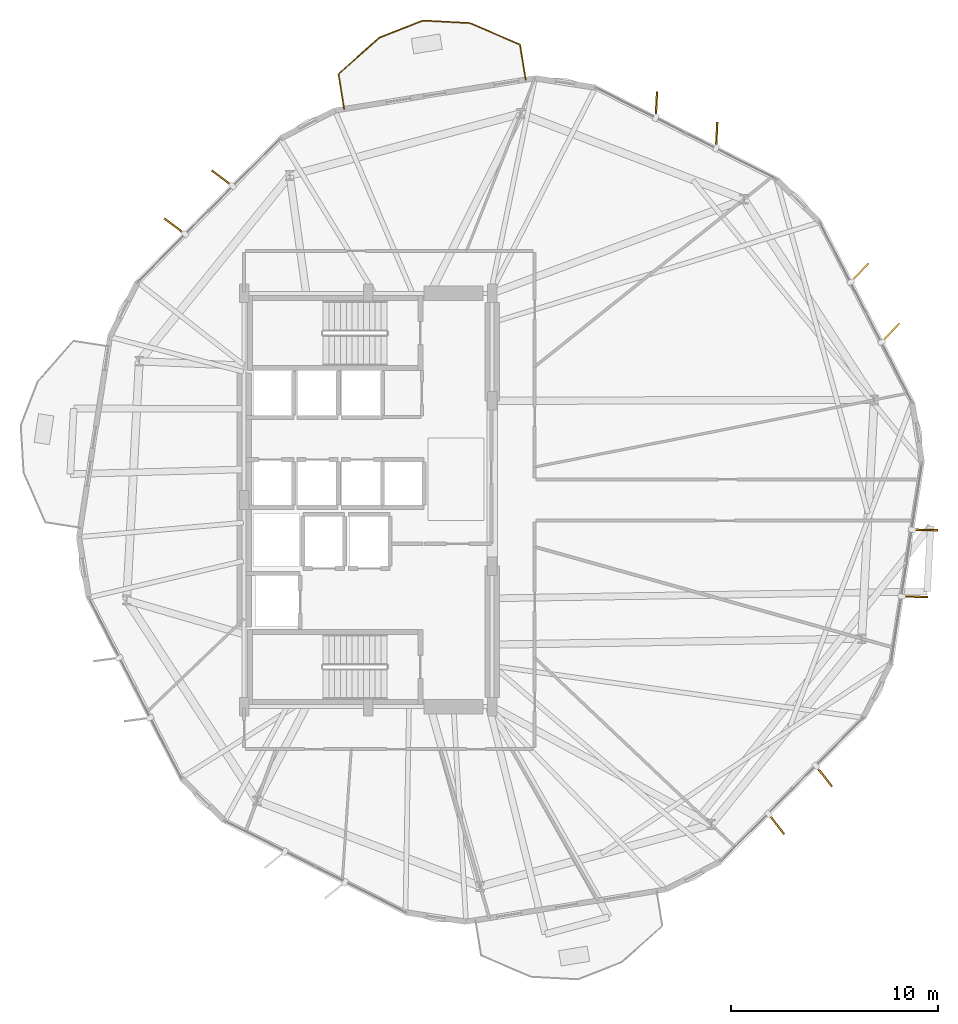
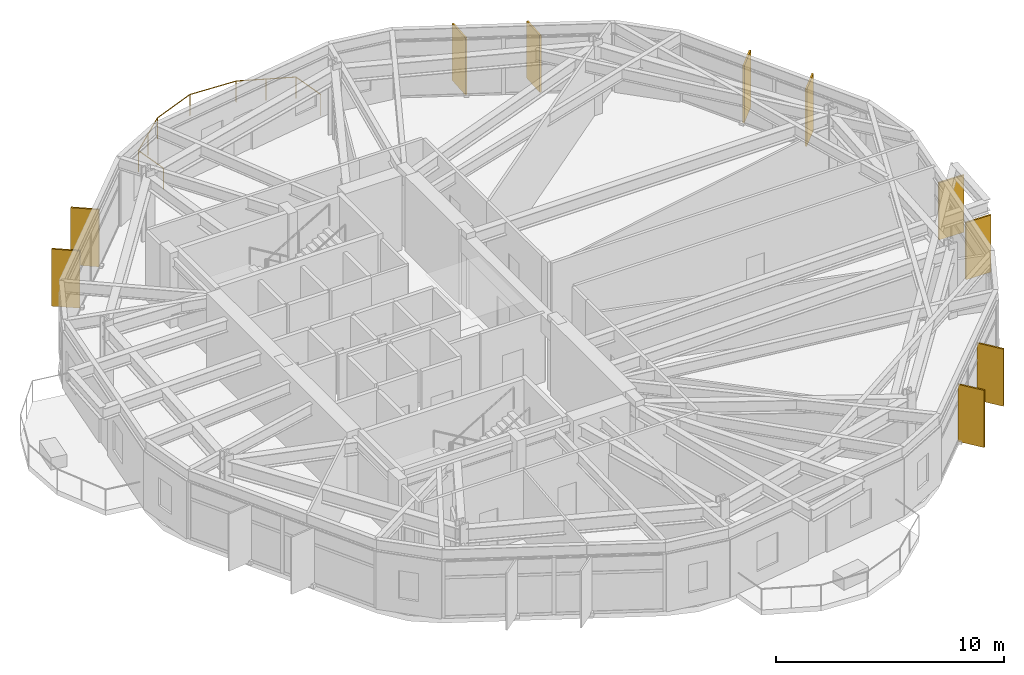
# One storey, part 23 of 23: 10 shading devices, 1 railing.
"""IFC4 building model written with IfcOpenShell, lengths in metres."""

from ifc_helpers import new_model, si_unit, direction, frame, origin, origin_2d, place, context, subcontext, project, spatial, rectangle, circle, extrude, material, layer, layer_set, type_object, element, save


model = new_model("IFC4")

# Units and contexts
model_context = context("Model", 3, precision=1e-05, world=origin(), true_north=direction((0.0, 1.0)))
body_context = subcontext(model_context, "Body", "Model", "MODEL_VIEW")
ifc_project = project(units=[si_unit("LENGTHUNIT", "METRE"), si_unit("AREAUNIT", "SQUARE_METRE"), si_unit("VOLUMEUNIT", "CUBIC_METRE"), si_unit("PLANEANGLEUNIT", "RADIAN"), si_unit("MASSUNIT", "GRAM", prefix="KILO")], contexts=[model_context])

# Site, building, storey
site_placement = place(None, origin())
site = spatial("IfcSite", under=ifc_project, at=site_placement, CompositionType="ELEMENT")
building_placement = place(site_placement, origin())
building = spatial("IfcBuilding", under=site, at=building_placement, Name="Soratama Intermodal Tower", CompositionType="ELEMENT")
storey_placement = place(building_placement, frame((0.0, 0.0, 62.60009765625)))
storey = spatial("IfcBuildingStorey", under=building, at=storey_placement, Name="L14", CompositionType="ELEMENT", Elevation=62.60009765625)

# Railing
ifc_material_1 = material(Name="Laminated glass and stainless steel balustrade", Category="steel")
railing_type = type_object("IfcRailingType", Name="RL-BAL-1150", PredefinedType="BALUSTRADE", material=ifc_material_1)
railing_placement = place(storey_placement, frame((37.435302734375, 43.916015625, 0.0)))
element("IfcRailing", 1, at=railing_placement, inside=storey, type_object=railing_type, Name="L14 Balcony Balustrade 1", PredefinedType="BALUSTRADE", context=body_context, shape_type="SweptSolid", body=[
    extrude(circle(Radius=0.02392578125, at=origin_2d()), frame((0.0, 0.0, 1.1259765625), z_axis=(-0.159540351224, 0.987191408153, 0.0), x_axis=(-0.987191408153, -0.159540351224, 0.0)), (0.0, 0.0, 1.0), 1.719970703125),
    extrude(circle(Radius=0.02392578125, at=origin_2d()), frame((-0.2744140625, 1.697998046875, 1.1259765625), z_axis=(0.747368450945, 0.664409812188, 0.0), x_axis=(-0.664409812188, 0.747368450945, 0.0)), (0.0, 0.0, 1.0), 2.636962890625),
    extrude(circle(Radius=0.02392578125, at=origin_2d()), frame((1.6962890625, 3.449951171875, 1.1259765625), z_axis=(0.930568945618, 0.366116699226, 0.0), x_axis=(-0.366116699226, 0.930568945618, 0.0)), (0.0, 0.0, 1.0), 2.27734375),
    extrude(circle(Radius=0.02392578125, at=origin_2d()), frame((3.8154296875, 4.28369140625, 1.1259765625), z_axis=(0.99852174408, -0.054353717441, 0.0), x_axis=(0.054353717441, 0.99852174408, 0.0)), (0.0, 0.0, 1.0), 2.27734375),
    extrude(circle(Radius=0.02392578125, at=origin_2d()), frame((6.08935546875, 4.159912109375, 1.1259765625), z_axis=(0.918617437732, -0.395148077428, 0.0), x_axis=(0.395148077428, 0.918617437732, 0.0)), (0.0, 0.0, 1.0), 2.636962890625),
    extrude(circle(Radius=0.02392578125, at=origin_2d()), frame((8.51171875, 3.117919921875, 1.1259765625), z_axis=(0.159402019524, -0.987213754043, 0.0), x_axis=(0.987213754043, 0.159402019524, 0.0)), (0.0, 0.0, 1.0), 1.719970703125),
    extrude(circle(Radius=0.02099609375, at=origin_2d()), origin(), (0.0, 0.0, 1.0), 1.101806640625),
    extrude(circle(Radius=0.02099609375, at=origin_2d()), frame((-0.2744140625, 1.697998046875, 0.0)), (0.0, 0.0, 1.0), 1.101806640625),
    extrude(circle(Radius=0.02099609375, at=origin_2d()), frame((0.7109375, 2.573974609375, 0.0)), (0.0, 0.0, 1.0), 1.101806640625),
    extrude(circle(Radius=0.02099609375, at=origin_2d()), frame((1.6962890625, 3.449951171875, 0.0)), (0.0, 0.0, 1.0), 1.101806640625),
    extrude(circle(Radius=0.02099609375, at=origin_2d()), frame((3.8154296875, 4.28369140625, 0.0)), (0.0, 0.0, 1.0), 1.101806640625),
    extrude(circle(Radius=0.02099609375, at=origin_2d()), frame((6.08935546875, 4.159912109375, 0.0)), (0.0, 0.0, 1.0), 1.101806640625),
    extrude(circle(Radius=0.02099609375, at=origin_2d()), frame((7.300537109375, 3.638916015625, 0.0)), (0.0, 0.0, 1.0), 1.101806640625),
    extrude(circle(Radius=0.02099609375, at=origin_2d()), frame((8.51171875, 3.117919921875, 0.0)), (0.0, 0.0, 1.0), 1.101806640625),
    extrude(circle(Radius=0.02099609375, at=origin_2d()), frame((8.785888671875, 1.419921875, 0.0)), (0.0, 0.0, 1.0), 1.101806640625),
])

# Shading devices
ifc_material_2 = material(Name="Champagne anodised aluminium solar fin", Category="aluminium")
ifc_layer = layer(ifc_material_2, 0.080078125)
ifc_layer_set = layer_set([ifc_layer], Name="Champagne anodised aluminium solar fin")
shading_device_type = type_object("IfcShadingDeviceType", Name="SH-FIN-1250", PredefinedType="USERDEFINED", material=ifc_layer_set)
for number, where, z_axis, x_axis, name in (
    (2, (63.87451171875, 33.096923828125, 0.019775390625), (0.0, 0.0, 1.0), (0.687087510804, 0.726574670971, 0.0), "L14 Solar Fin F01-1"),
    (3, (62.38232421875, 36.002685546875, 0.019775390625), (0.0, 0.0, 1.0), (0.687087510804, 0.726574670971, 0.0), "L14 Solar Fin F01-2"),
    (4, (55.459228515625, 42.6494140625, 0.019775390625), (0.0, 0.0, 1.0), (0.049198415926, 0.998789024705, 0.0), "L14 Solar Fin F02-1"),
    (5, (52.5439453125, 44.123291015625, 0.019775390625), (0.0, 0.0, 1.0), (0.049198415926, 0.998789024705, 0.0), "L14 Solar Fin F02-2"),
    (6, (31.537109375, 40.563720703125, 0.019775390625), (0.0, 0.0, 1.0), (-0.794414620535, 0.607375839723, 0.0), "L14 Solar Fin F04-1"),
    (7, (29.234619140625, 38.24658203125, 0.019775390625), (0.0, 0.0, 1.0), (-0.794414620535, 0.607375839723, 0.0), "L14 Solar Fin F04-2"),
    (8, (58.345458984375, 9.318115234375, 0.019775390625), (0.0, 0.0, 1.0), (0.612355272073, -0.790582709629, 0.0), "L14 Solar Fin F09-1"),
    (9, (60.648193359375, 11.635009765625, 0.019775390625), (0.0, 0.0, 1.0), (0.612355272073, -0.790582709629, 0.0), "L14 Solar Fin F09-2"),
    (10, (65.039794921875, 20.322021484375, 0.019775390625), (0.0, 0.0, 1.0), (0.999701489781, -0.024432178153, 0.0), "L14 Solar Fin F10-1"),
    (11, (65.540771484375, 23.5498046875, 0.019775390625), (0.0, 0.0, 1.0), (0.999701489781, -0.024432178153, 0.0), "L14 Solar Fin F10-2"),
):
    element("IfcShadingDevice", number, at=place(storey_placement, frame(where, z_axis=z_axis, x_axis=x_axis)), inside=storey, type_object=shading_device_type, Name=name, ObjectType="FIN", PredefinedType="USERDEFINED", context=body_context, shape_type="SweptSolid", body=[
        extrude(rectangle(XDim=1.25, YDim=0.080078125, at=origin_2d()), origin(), (0.0, 0.0, 1.0), 3.05908203125),
    ])

save(model, "model.ifc")
